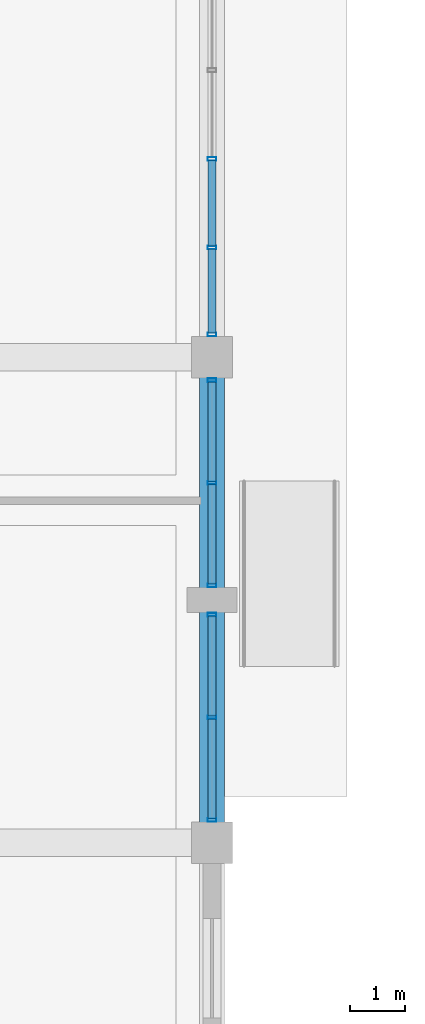
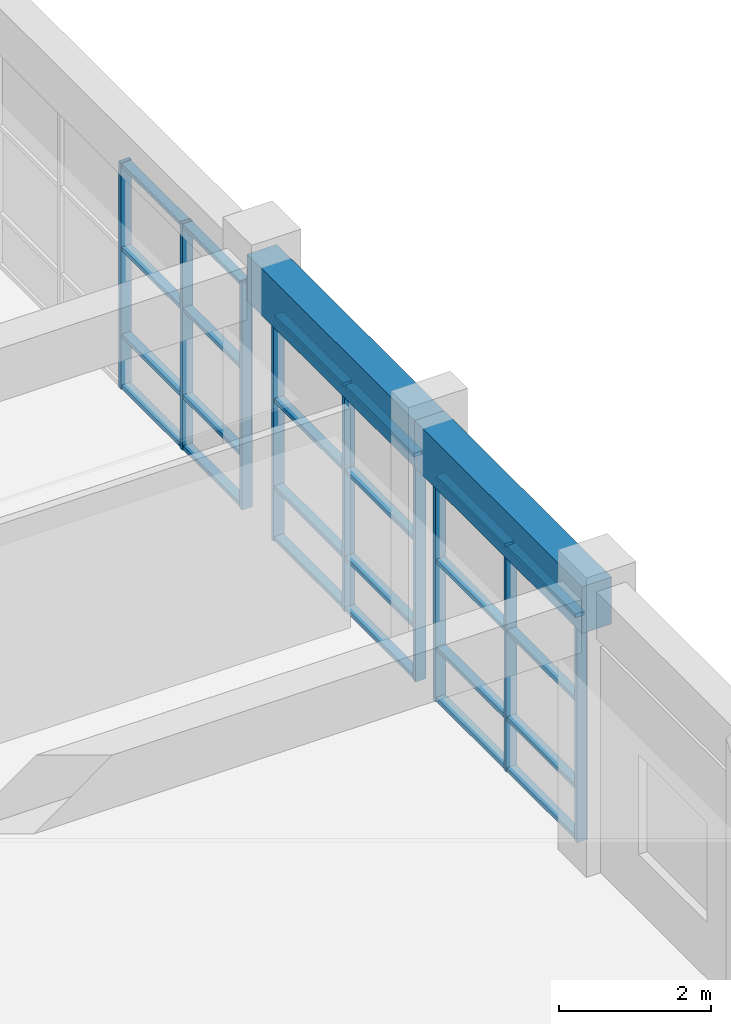
# One storey, part 3 of 47: 33 members, 2 beams, 3 elements without a shape of their own.
"""IFC4 building model written with IfcOpenShell, lengths in metres."""

from ifc_helpers import new_model, si_unit, direction, frame, origin, origin_2d, place, context, subcontext, project, spatial, rectangle, hollow_rectangle, extrude, material, layer, layer_set, material_profile, profile_set, type_object, element, aggregate, save


model = new_model("IFC4")

# Units and contexts
model_context = context("Model", 3, precision=1e-05, world=origin(), true_north=direction((0.0, 1.0)))
body_context = subcontext(model_context, "Body", "Model", "MODEL_VIEW")
ifc_project = project(units=[si_unit("LENGTHUNIT", "METRE"), si_unit("AREAUNIT", "SQUARE_METRE"), si_unit("VOLUMEUNIT", "CUBIC_METRE"), si_unit("PLANEANGLEUNIT", "RADIAN"), si_unit("MASSUNIT", "GRAM", prefix="KILO")], contexts=[model_context])

# Site, building, storey
site_placement = place(None, origin())
site = spatial("IfcSite", under=ifc_project, at=site_placement, CompositionType="ELEMENT")
building_placement = place(site_placement, origin())
building = spatial("IfcBuilding", under=site, at=building_placement, Name="Ventoquebrada Cableway Terminal", CompositionType="ELEMENT")
storey_placement = place(building_placement, origin())
storey = spatial("IfcBuildingStorey", under=building, at=storey_placement, Name="L00", CompositionType="ELEMENT", Elevation=0.0)

# Curtain wall, members
ifc_material_1 = material(Name="Anodized thermally-broken aluminium", Category="aluminium")
ifc_layer_1 = layer(ifc_material_1, 0.159912109375)
ifc_layer_set_1 = layer_set([ifc_layer_1], Name="Anodized thermally-broken aluminium")
curtain_wall_type_1 = type_object("IfcCurtainWallType", Name="CW-T01", PredefinedType="USERDEFINED", material=ifc_layer_set_1)
curtain_wall_1_placement = place(storey_placement, origin())
curtain_wall_1 = element("IfcCurtainWall", 1, at=curtain_wall_1_placement, inside=storey, type_object=curtain_wall_type_1, Name="Unitised glazed curtain wall CW-001", ObjectType="UNITISED CURTAIN WALL", PredefinedType="USERDEFINED")
ifc_material_profile_1 = material_profile(ifc_material_1, hollow_rectangle(XDim=0.06494140625, YDim=0.159912109375, WallThickness=0.00390625, at=origin_2d()), Name="CW-MUL-65X160")
ifc_profile_set_1 = profile_set([ifc_material_profile_1], Name="Anodized thermally-broken aluminium")
member_type_1 = type_object("IfcMemberType", Name="CWM-01", PredefinedType="MULLION", material=ifc_profile_set_1)
member_1_placement = place(storey_placement, frame((37.0, 12.215087890625, -0.008056640625), z_axis=(0.0, 0.0, 1.0), x_axis=(0.0, 1.0, 0.0)))
member_1 = element("IfcMember", 2, at=member_1_placement, type_object=member_type_1, Name="Curtain wall mullion FML-0001", PredefinedType="MULLION", context=body_context, shape_type="SweptSolid", body=[
    extrude(hollow_rectangle(XDim=0.06494140625, YDim=0.159912109375, WallThickness=0.00390625, at=origin_2d()), origin(), (0.0, 0.0, 1.0), 3.637939453125),
])
member_2_placement = place(storey_placement, frame((37.0, 14.074951171875, -0.008056640625), z_axis=(0.0, 0.0, 1.0), x_axis=(0.0, 1.0, 0.0)))
member_2 = element("IfcMember", 3, at=member_2_placement, type_object=member_type_1, Name="Curtain wall mullion FML-0002", PredefinedType="MULLION", context=body_context, shape_type="SweptSolid", body=[
    extrude(hollow_rectangle(XDim=0.06494140625, YDim=0.159912109375, WallThickness=0.00390625, at=origin_2d()), origin(), (0.0, 0.0, 1.0), 3.637939453125),
])
member_3_placement = place(storey_placement, frame((37.0, 15.93505859375, -0.008056640625), z_axis=(0.0, 0.0, 1.0), x_axis=(0.0, 1.0, 0.0)))
member_3 = element("IfcMember", 4, at=member_3_placement, type_object=member_type_1, Name="Curtain wall mullion FML-0003", PredefinedType="MULLION", context=body_context, shape_type="SweptSolid", body=[
    extrude(hollow_rectangle(XDim=0.06494140625, YDim=0.159912109375, WallThickness=0.00390625, at=origin_2d()), origin(), (0.0, 0.0, 1.0), 3.637939453125),
])

curtain_wall_2_placement = place(storey_placement, origin())
curtain_wall_2 = element("IfcCurtainWall", 5, at=curtain_wall_2_placement, inside=storey, type_object=curtain_wall_type_1, Name="Unitised glazed curtain wall CW-002", ObjectType="UNITISED CURTAIN WALL", PredefinedType="USERDEFINED")
member_4_placement = place(storey_placement, frame((37.0, 16.465087890625, -0.008056640625), z_axis=(0.0, 0.0, 1.0), x_axis=(0.0, 1.0, 0.0)))
member_4 = element("IfcMember", 6, at=member_4_placement, type_object=member_type_1, Name="Curtain wall mullion FML-0004", PredefinedType="MULLION", context=body_context, shape_type="SweptSolid", body=[
    extrude(hollow_rectangle(XDim=0.06494140625, YDim=0.159912109375, WallThickness=0.00390625, at=origin_2d()), origin(), (0.0, 0.0, 1.0), 3.637939453125),
])
member_5_placement = place(storey_placement, frame((37.0, 18.324951171875, -0.008056640625), z_axis=(0.0, 0.0, 1.0), x_axis=(0.0, 1.0, 0.0)))
member_5 = element("IfcMember", 7, at=member_5_placement, type_object=member_type_1, Name="Curtain wall mullion FML-0005", PredefinedType="MULLION", context=body_context, shape_type="SweptSolid", body=[
    extrude(hollow_rectangle(XDim=0.06494140625, YDim=0.159912109375, WallThickness=0.00390625, at=origin_2d()), origin(), (0.0, 0.0, 1.0), 3.637939453125),
])
member_6_placement = place(storey_placement, frame((37.0, 20.18505859375, -0.008056640625), z_axis=(0.0, 0.0, 1.0), x_axis=(0.0, 1.0, 0.0)))
member_6 = element("IfcMember", 8, at=member_6_placement, type_object=member_type_1, Name="Curtain wall mullion FML-0006", PredefinedType="MULLION", context=body_context, shape_type="SweptSolid", body=[
    extrude(hollow_rectangle(XDim=0.06494140625, YDim=0.159912109375, WallThickness=0.00390625, at=origin_2d()), origin(), (0.0, 0.0, 1.0), 3.637939453125),
])

ifc_layer_2 = layer(ifc_material_1, 0.159912109375)
ifc_layer_set_2 = layer_set([ifc_layer_2], Name="Anodized thermally-broken aluminium")
curtain_wall_type_2 = type_object("IfcCurtainWallType", Name="CW-T02", PredefinedType="USERDEFINED", material=ifc_layer_set_2)
curtain_wall_3_placement = place(storey_placement, origin())
curtain_wall_3 = element("IfcCurtainWall", 9, at=curtain_wall_3_placement, inside=storey, type_object=curtain_wall_type_2, Name="Unitised glazed curtain wall CW-003", ObjectType="UNITISED CURTAIN WALL", PredefinedType="USERDEFINED")
member_7_placement = place(storey_placement, frame((37.0, 21.014892578125, -0.008056640625), z_axis=(0.0, 0.0, 1.0), x_axis=(0.0, 1.0, 0.0)))
member_7 = element("IfcMember", 10, at=member_7_placement, type_object=member_type_1, Name="Curtain wall mullion FML-0007", PredefinedType="MULLION", context=body_context, shape_type="SweptSolid", body=[
    extrude(hollow_rectangle(XDim=0.06494140625, YDim=0.159912109375, WallThickness=0.00390625, at=origin_2d()), origin(), (0.0, 0.0, 1.0), 3.637939453125),
])
member_8_placement = place(storey_placement, frame((37.0, 22.587890625, -0.008056640625), z_axis=(0.0, 0.0, 1.0), x_axis=(0.0, 1.0, 0.0)))
member_8 = element("IfcMember", 11, at=member_8_placement, type_object=member_type_1, Name="Curtain wall mullion FML-0008", PredefinedType="MULLION", context=body_context, shape_type="SweptSolid", body=[
    extrude(hollow_rectangle(XDim=0.06494140625, YDim=0.159912109375, WallThickness=0.00390625, at=origin_2d()), origin(), (0.0, 0.0, 1.0), 3.637939453125),
])
member_9_placement = place(storey_placement, frame((37.0, 24.196044921875, -0.008056640625), z_axis=(0.0, 0.0, 1.0), x_axis=(0.0, 1.0, 0.0)))
member_9 = element("IfcMember", 12, at=member_9_placement, type_object=member_type_1, Name="Curtain wall mullion FML-0009", PredefinedType="MULLION", context=body_context, shape_type="SweptSolid", body=[
    extrude(hollow_rectangle(XDim=0.06494140625, YDim=0.159912109375, WallThickness=0.00390625, at=origin_2d()), origin(), (0.0, 0.0, 1.0), 3.637939453125),
])

# Member
ifc_material_profile_2 = material_profile(ifc_material_1, hollow_rectangle(XDim=0.06494140625, YDim=0.139892578125, WallThickness=0.00390625, at=origin_2d()), Name="CW-TRN-65X140")
ifc_profile_set_2 = profile_set([ifc_material_profile_2], Name="Anodized thermally-broken aluminium")
member_type_2 = type_object("IfcMemberType", Name="CWT-01", PredefinedType="USERDEFINED", material=ifc_profile_set_2)
member_10_placement = place(storey_placement, frame((37.0, 12.241943359375, 0.034912109375), z_axis=(0.0, 1.0, 0.0), x_axis=(0.0, 0.0, 1.0)))
member_10 = element("IfcMember", 13, at=member_10_placement, type_object=member_type_2, Name="Curtain wall transom FTR-0001", ObjectType="TRANSOM", PredefinedType="USERDEFINED", context=body_context, shape_type="SweptSolid", body=[
    extrude(hollow_rectangle(XDim=0.06494140625, YDim=0.139892578125, WallThickness=0.00390625, at=origin_2d()), origin(), (0.0, 0.0, 1.0), 1.80517578125),
])

member_11_placement = place(storey_placement, frame((37.0, 12.241943359375, 0.85009765625), z_axis=(0.0, 1.0, 0.0), x_axis=(0.0, 0.0, 1.0)))
member_11 = element("IfcMember", 14, at=member_11_placement, type_object=member_type_2, Name="Curtain wall transom FTR-0002", ObjectType="TRANSOM", PredefinedType="USERDEFINED", context=body_context, shape_type="SweptSolid", body=[
    extrude(hollow_rectangle(XDim=0.06494140625, YDim=0.139892578125, WallThickness=0.00390625, at=origin_2d()), origin(), (0.0, 0.0, 1.0), 1.80517578125),
])

member_12_placement = place(storey_placement, frame((37.0, 12.241943359375, 2.248046875), z_axis=(0.0, 1.0, 0.0), x_axis=(0.0, 0.0, 1.0)))
member_12 = element("IfcMember", 15, at=member_12_placement, type_object=member_type_2, Name="Curtain wall transom FTR-0003", ObjectType="TRANSOM", PredefinedType="USERDEFINED", context=body_context, shape_type="SweptSolid", body=[
    extrude(hollow_rectangle(XDim=0.06494140625, YDim=0.139892578125, WallThickness=0.00390625, at=origin_2d()), origin(), (0.0, 0.0, 1.0), 1.80517578125),
])

member_13_placement = place(storey_placement, frame((37.0, 12.241943359375, 3.590087890625), z_axis=(0.0, 1.0, 0.0), x_axis=(0.0, 0.0, 1.0)))
member_13 = element("IfcMember", 16, at=member_13_placement, type_object=member_type_2, Name="Curtain wall transom FTR-0004", ObjectType="TRANSOM", PredefinedType="USERDEFINED", context=body_context, shape_type="SweptSolid", body=[
    extrude(hollow_rectangle(XDim=0.06494140625, YDim=0.139892578125, WallThickness=0.00390625, at=origin_2d()), origin(), (0.0, 0.0, 1.0), 1.80517578125),
])

member_14_placement = place(storey_placement, frame((37.0, 14.10302734375, 0.034912109375), z_axis=(0.0, 1.0, 0.0), x_axis=(0.0, 0.0, 1.0)))
member_14 = element("IfcMember", 17, at=member_14_placement, type_object=member_type_2, Name="Curtain wall transom FTR-0005", ObjectType="TRANSOM", PredefinedType="USERDEFINED", context=body_context, shape_type="SweptSolid", body=[
    extrude(hollow_rectangle(XDim=0.06494140625, YDim=0.139892578125, WallThickness=0.00390625, at=origin_2d()), origin(), (0.0, 0.0, 1.0), 1.804931640625),
])

member_15_placement = place(storey_placement, frame((37.0, 14.10302734375, 0.85009765625), z_axis=(0.0, 1.0, 0.0), x_axis=(0.0, 0.0, 1.0)))
member_15 = element("IfcMember", 18, at=member_15_placement, type_object=member_type_2, Name="Curtain wall transom FTR-0006", ObjectType="TRANSOM", PredefinedType="USERDEFINED", context=body_context, shape_type="SweptSolid", body=[
    extrude(hollow_rectangle(XDim=0.06494140625, YDim=0.139892578125, WallThickness=0.00390625, at=origin_2d()), origin(), (0.0, 0.0, 1.0), 1.804931640625),
])

member_16_placement = place(storey_placement, frame((37.0, 14.10302734375, 2.248046875), z_axis=(0.0, 1.0, 0.0), x_axis=(0.0, 0.0, 1.0)))
member_16 = element("IfcMember", 19, at=member_16_placement, type_object=member_type_2, Name="Curtain wall transom FTR-0007", ObjectType="TRANSOM", PredefinedType="USERDEFINED", context=body_context, shape_type="SweptSolid", body=[
    extrude(hollow_rectangle(XDim=0.06494140625, YDim=0.139892578125, WallThickness=0.00390625, at=origin_2d()), origin(), (0.0, 0.0, 1.0), 1.804931640625),
])

member_17_placement = place(storey_placement, frame((37.0, 14.10302734375, 3.590087890625), z_axis=(0.0, 1.0, 0.0), x_axis=(0.0, 0.0, 1.0)))
member_17 = element("IfcMember", 20, at=member_17_placement, type_object=member_type_2, Name="Curtain wall transom FTR-0008", ObjectType="TRANSOM", PredefinedType="USERDEFINED", context=body_context, shape_type="SweptSolid", body=[
    extrude(hollow_rectangle(XDim=0.06494140625, YDim=0.139892578125, WallThickness=0.00390625, at=origin_2d()), origin(), (0.0, 0.0, 1.0), 1.804931640625),
])

aggregate(curtain_wall_1, [member_1, member_2, member_3, member_10, member_11, member_12, member_13, member_14, member_15, member_16, member_17])

member_18_placement = place(storey_placement, frame((37.0, 16.491943359375, 0.034912109375), z_axis=(0.0, 1.0, 0.0), x_axis=(0.0, 0.0, 1.0)))
member_18 = element("IfcMember", 21, at=member_18_placement, type_object=member_type_2, Name="Curtain wall transom FTR-0009", ObjectType="TRANSOM", PredefinedType="USERDEFINED", context=body_context, shape_type="SweptSolid", body=[
    extrude(hollow_rectangle(XDim=0.06494140625, YDim=0.139892578125, WallThickness=0.00390625, at=origin_2d()), origin(), (0.0, 0.0, 1.0), 1.80517578125),
])

member_19_placement = place(storey_placement, frame((37.0, 16.491943359375, 0.85009765625), z_axis=(0.0, 1.0, 0.0), x_axis=(0.0, 0.0, 1.0)))
member_19 = element("IfcMember", 22, at=member_19_placement, type_object=member_type_2, Name="Curtain wall transom FTR-0010", ObjectType="TRANSOM", PredefinedType="USERDEFINED", context=body_context, shape_type="SweptSolid", body=[
    extrude(hollow_rectangle(XDim=0.06494140625, YDim=0.139892578125, WallThickness=0.00390625, at=origin_2d()), origin(), (0.0, 0.0, 1.0), 1.80517578125),
])

member_20_placement = place(storey_placement, frame((37.0, 16.491943359375, 2.248046875), z_axis=(0.0, 1.0, 0.0), x_axis=(0.0, 0.0, 1.0)))
member_20 = element("IfcMember", 23, at=member_20_placement, type_object=member_type_2, Name="Curtain wall transom FTR-0011", ObjectType="TRANSOM", PredefinedType="USERDEFINED", context=body_context, shape_type="SweptSolid", body=[
    extrude(hollow_rectangle(XDim=0.06494140625, YDim=0.139892578125, WallThickness=0.00390625, at=origin_2d()), origin(), (0.0, 0.0, 1.0), 1.80517578125),
])

member_21_placement = place(storey_placement, frame((37.0, 16.491943359375, 3.590087890625), z_axis=(0.0, 1.0, 0.0), x_axis=(0.0, 0.0, 1.0)))
member_21 = element("IfcMember", 24, at=member_21_placement, type_object=member_type_2, Name="Curtain wall transom FTR-0012", ObjectType="TRANSOM", PredefinedType="USERDEFINED", context=body_context, shape_type="SweptSolid", body=[
    extrude(hollow_rectangle(XDim=0.06494140625, YDim=0.139892578125, WallThickness=0.00390625, at=origin_2d()), origin(), (0.0, 0.0, 1.0), 1.80517578125),
])

member_22_placement = place(storey_placement, frame((37.0, 18.35205078125, 0.034912109375), z_axis=(0.0, 1.0, 0.0), x_axis=(0.0, 0.0, 1.0)))
member_22 = element("IfcMember", 25, at=member_22_placement, type_object=member_type_2, Name="Curtain wall transom FTR-0013", ObjectType="TRANSOM", PredefinedType="USERDEFINED", context=body_context, shape_type="SweptSolid", body=[
    extrude(hollow_rectangle(XDim=0.06494140625, YDim=0.139892578125, WallThickness=0.00390625, at=origin_2d()), origin(), (0.0, 0.0, 1.0), 1.804931640625),
])

member_23_placement = place(storey_placement, frame((37.0, 18.35205078125, 0.85009765625), z_axis=(0.0, 1.0, 0.0), x_axis=(0.0, 0.0, 1.0)))
member_23 = element("IfcMember", 26, at=member_23_placement, type_object=member_type_2, Name="Curtain wall transom FTR-0014", ObjectType="TRANSOM", PredefinedType="USERDEFINED", context=body_context, shape_type="SweptSolid", body=[
    extrude(hollow_rectangle(XDim=0.06494140625, YDim=0.139892578125, WallThickness=0.00390625, at=origin_2d()), origin(), (0.0, 0.0, 1.0), 1.804931640625),
])

member_24_placement = place(storey_placement, frame((37.0, 18.35205078125, 2.248046875), z_axis=(0.0, 1.0, 0.0), x_axis=(0.0, 0.0, 1.0)))
member_24 = element("IfcMember", 27, at=member_24_placement, type_object=member_type_2, Name="Curtain wall transom FTR-0015", ObjectType="TRANSOM", PredefinedType="USERDEFINED", context=body_context, shape_type="SweptSolid", body=[
    extrude(hollow_rectangle(XDim=0.06494140625, YDim=0.139892578125, WallThickness=0.00390625, at=origin_2d()), origin(), (0.0, 0.0, 1.0), 1.804931640625),
])

member_25_placement = place(storey_placement, frame((37.0, 18.35205078125, 3.590087890625), z_axis=(0.0, 1.0, 0.0), x_axis=(0.0, 0.0, 1.0)))
member_25 = element("IfcMember", 28, at=member_25_placement, type_object=member_type_2, Name="Curtain wall transom FTR-0016", ObjectType="TRANSOM", PredefinedType="USERDEFINED", context=body_context, shape_type="SweptSolid", body=[
    extrude(hollow_rectangle(XDim=0.06494140625, YDim=0.139892578125, WallThickness=0.00390625, at=origin_2d()), origin(), (0.0, 0.0, 1.0), 1.804931640625),
])

aggregate(curtain_wall_2, [member_4, member_5, member_6, member_18, member_19, member_20, member_21, member_22, member_23, member_24, member_25])

member_26_placement = place(storey_placement, frame((37.0, 21.04296875, 0.034912109375), z_axis=(0.0, 1.0, 0.0), x_axis=(0.0, 0.0, 1.0)))
member_26 = element("IfcMember", 29, at=member_26_placement, type_object=member_type_2, Name="Curtain wall transom FTR-0017", ObjectType="TRANSOM", PredefinedType="USERDEFINED", context=body_context, shape_type="SweptSolid", body=[
    extrude(hollow_rectangle(XDim=0.06494140625, YDim=0.139892578125, WallThickness=0.00390625, at=origin_2d()), origin(), (0.0, 0.0, 1.0), 1.51806640625),
])

member_27_placement = place(storey_placement, frame((37.0, 21.04296875, 0.85009765625), z_axis=(0.0, 1.0, 0.0), x_axis=(0.0, 0.0, 1.0)))
member_27 = element("IfcMember", 30, at=member_27_placement, type_object=member_type_2, Name="Curtain wall transom FTR-0018", ObjectType="TRANSOM", PredefinedType="USERDEFINED", context=body_context, shape_type="SweptSolid", body=[
    extrude(hollow_rectangle(XDim=0.06494140625, YDim=0.139892578125, WallThickness=0.00390625, at=origin_2d()), origin(), (0.0, 0.0, 1.0), 1.51806640625),
])

member_28_placement = place(storey_placement, frame((37.0, 21.04296875, 2.248046875), z_axis=(0.0, 1.0, 0.0), x_axis=(0.0, 0.0, 1.0)))
member_28 = element("IfcMember", 31, at=member_28_placement, type_object=member_type_2, Name="Curtain wall transom FTR-0019", ObjectType="TRANSOM", PredefinedType="USERDEFINED", context=body_context, shape_type="SweptSolid", body=[
    extrude(hollow_rectangle(XDim=0.06494140625, YDim=0.139892578125, WallThickness=0.00390625, at=origin_2d()), origin(), (0.0, 0.0, 1.0), 1.51806640625),
])

member_29_placement = place(storey_placement, frame((37.0, 21.04296875, 3.590087890625), z_axis=(0.0, 1.0, 0.0), x_axis=(0.0, 0.0, 1.0)))
member_29 = element("IfcMember", 32, at=member_29_placement, type_object=member_type_2, Name="Curtain wall transom FTR-0020", ObjectType="TRANSOM", PredefinedType="USERDEFINED", context=body_context, shape_type="SweptSolid", body=[
    extrude(hollow_rectangle(XDim=0.06494140625, YDim=0.139892578125, WallThickness=0.00390625, at=origin_2d()), origin(), (0.0, 0.0, 1.0), 1.51806640625),
])

member_30_placement = place(storey_placement, frame((37.0, 22.615966796875, 0.034912109375), z_axis=(0.0, 1.0, 0.0), x_axis=(0.0, 0.0, 1.0)))
member_30 = element("IfcMember", 33, at=member_30_placement, type_object=member_type_2, Name="Curtain wall transom FTR-0021", ObjectType="TRANSOM", PredefinedType="USERDEFINED", context=body_context, shape_type="SweptSolid", body=[
    extrude(hollow_rectangle(XDim=0.06494140625, YDim=0.139892578125, WallThickness=0.00390625, at=origin_2d()), origin(), (0.0, 0.0, 1.0), 1.552978515625),
])

member_31_placement = place(storey_placement, frame((37.0, 22.615966796875, 0.85009765625), z_axis=(0.0, 1.0, 0.0), x_axis=(0.0, 0.0, 1.0)))
member_31 = element("IfcMember", 34, at=member_31_placement, type_object=member_type_2, Name="Curtain wall transom FTR-0022", ObjectType="TRANSOM", PredefinedType="USERDEFINED", context=body_context, shape_type="SweptSolid", body=[
    extrude(hollow_rectangle(XDim=0.06494140625, YDim=0.139892578125, WallThickness=0.00390625, at=origin_2d()), origin(), (0.0, 0.0, 1.0), 1.552978515625),
])

member_32_placement = place(storey_placement, frame((37.0, 22.615966796875, 2.248046875), z_axis=(0.0, 1.0, 0.0), x_axis=(0.0, 0.0, 1.0)))
member_32 = element("IfcMember", 35, at=member_32_placement, type_object=member_type_2, Name="Curtain wall transom FTR-0023", ObjectType="TRANSOM", PredefinedType="USERDEFINED", context=body_context, shape_type="SweptSolid", body=[
    extrude(hollow_rectangle(XDim=0.06494140625, YDim=0.139892578125, WallThickness=0.00390625, at=origin_2d()), origin(), (0.0, 0.0, 1.0), 1.552978515625),
])

member_33_placement = place(storey_placement, frame((37.0, 22.615966796875, 3.590087890625), z_axis=(0.0, 1.0, 0.0), x_axis=(0.0, 0.0, 1.0)))
member_33 = element("IfcMember", 36, at=member_33_placement, type_object=member_type_2, Name="Curtain wall transom FTR-0024", ObjectType="TRANSOM", PredefinedType="USERDEFINED", context=body_context, shape_type="SweptSolid", body=[
    extrude(hollow_rectangle(XDim=0.06494140625, YDim=0.139892578125, WallThickness=0.00390625, at=origin_2d()), origin(), (0.0, 0.0, 1.0), 1.552978515625),
])

aggregate(curtain_wall_3, [member_7, member_8, member_9, member_26, member_27, member_28, member_29, member_30, member_31, member_32, member_33])

# Beams
ifc_material_2 = material(Name="Concrete C40/50", Category="concrete")
ifc_material_profile_3 = material_profile(ifc_material_2, rectangle(XDim=0.449951171875, YDim=0.75, at=origin_2d()), Name="RC-BM-450X750")
ifc_profile_set_3 = profile_set([ifc_material_profile_3], Name="Concrete C40/50")
beam_type = type_object("IfcBeamType", Name="SP-RC02", PredefinedType="SPANDREL", material=ifc_profile_set_3)
beam_1_placement = place(storey_placement, frame((37.0, 11.800048828125, 4.0048828125), z_axis=(0.0, 1.0, 0.0), x_axis=(-1.0, 0.0, 0.0)))
element("IfcBeam", 37, at=beam_1_placement, inside=storey, type_object=beam_type, Name="Perimeter spandrel beam FBM-0137", PredefinedType="SPANDREL", context=body_context, shape_type="SweptSolid", body=[
    extrude(rectangle(XDim=0.449951171875, YDim=0.75, at=origin_2d()), origin(), (0.0, 0.0, 1.0), 4.39990234375),
])
beam_2_placement = place(storey_placement, frame((37.0, 16.199951171875, 4.0048828125), z_axis=(0.0, 1.0, 0.0), x_axis=(-1.0, 0.0, 0.0)))
element("IfcBeam", 38, at=beam_2_placement, inside=storey, type_object=beam_type, Name="Perimeter spandrel beam FBM-0138", PredefinedType="SPANDREL", context=body_context, shape_type="SweptSolid", body=[
    extrude(rectangle(XDim=0.449951171875, YDim=0.75, at=origin_2d()), origin(), (0.0, 0.0, 1.0), 4.400146484375),
])

save(model, "model.ifc")
